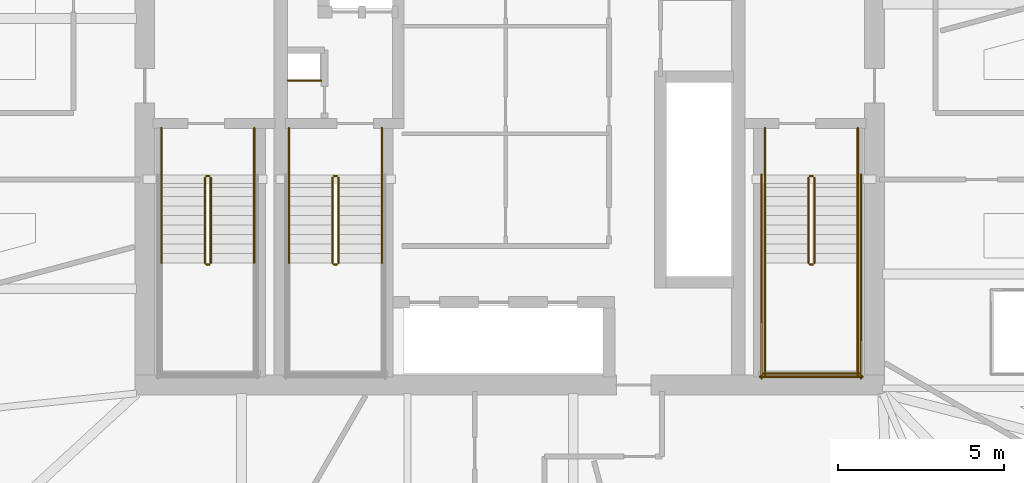
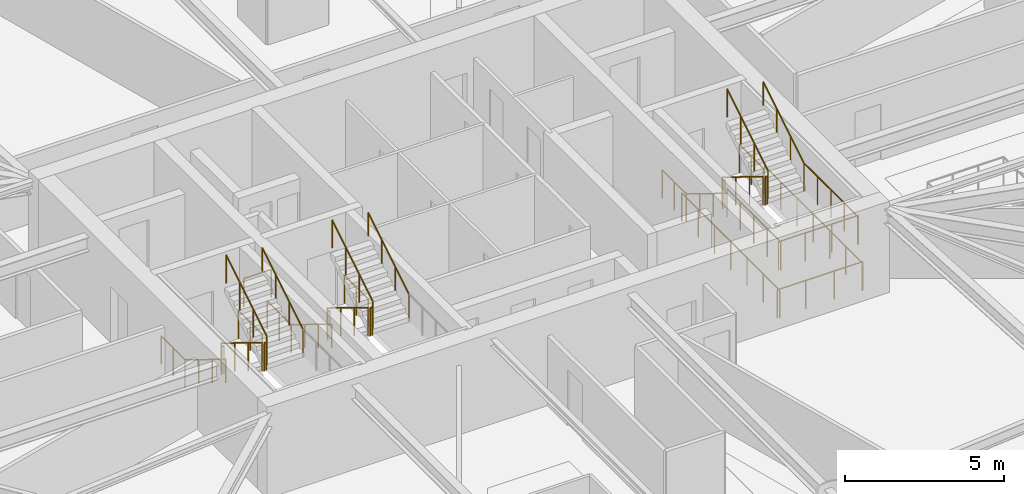
# One storey, part 19 of 20: 31 railings.
"""IFC4 building model written with IfcOpenShell, lengths in metres."""

from ifc_helpers import new_model, si_unit, direction, frame, origin, origin_2d, place, context, subcontext, project, spatial, circle, extrude, material, type_object, element, save


model = new_model("IFC4")

# Units and contexts
model_context = context("Model", 3, precision=1e-05, world=origin(), true_north=direction((0.0, 1.0)))
body_context = subcontext(model_context, "Body", "Model", "MODEL_VIEW")
ifc_project = project(units=[si_unit("LENGTHUNIT", "METRE"), si_unit("AREAUNIT", "SQUARE_METRE"), si_unit("VOLUMEUNIT", "CUBIC_METRE"), si_unit("PLANEANGLEUNIT", "RADIAN"), si_unit("MASSUNIT", "GRAM", prefix="KILO")], contexts=[model_context])

# Site, building, storey
site_placement = place(None, origin())
site = spatial("IfcSite", under=ifc_project, at=site_placement, CompositionType="ELEMENT")
building_placement = place(site_placement, origin())
building = spatial("IfcBuilding", under=site, at=building_placement, Name="Bramvorn Convention Spire", CompositionType="ELEMENT")
storey_placement = place(building_placement, frame((0.0, 0.0, 130.800048828125)))
storey = spatial("IfcBuildingStorey", under=building, at=storey_placement, Name="L32", CompositionType="ELEMENT", Elevation=130.800048828125)

# Railings
ifc_material_1 = material(Name="Painted Steel Balustrade & Guardrail", Category="steel")
railing_type_1 = type_object("IfcRailingType", Name="RL-STAIR-GUARD-1100", PredefinedType="GUARDRAIL", material=ifc_material_1)
railing_1_placement = place(storey_placement, frame((28.81005859375, 25.050048828125, 0.175048828125)))
element("IfcRailing", 1, at=railing_1_placement, inside=storey, type_object=railing_type_1, Name="L32 ST1 stair guard 1", PredefinedType="GUARDRAIL", context=body_context, shape_type="SweptSolid", body=[
    extrude(circle(Radius=0.02392578125, at=origin_2d()), frame((0.0, 0.0, 1.076171875), z_axis=(0.0, -0.852173129349, 0.523259933127), x_axis=(1.0, 0.0, 0.0)), (0.0, 0.0, 1.0), 3.009765625),
    extrude(circle(Radius=0.02099609375, at=origin_2d()), origin(), (0.0, 0.0, 1.0), 1.052001953125),
    extrude(circle(Radius=0.02099609375, at=origin_2d()), frame((0.0, -0.85498046875, 0.52490234375)), (0.0, 0.0, 1.0), 1.052001953125),
    extrude(circle(Radius=0.02099609375, at=origin_2d()), frame((0.0, -1.7099609375, 1.050048828125)), (0.0, 0.0, 1.0), 1.052001953125),
    extrude(circle(Radius=0.02099609375, at=origin_2d()), frame((0.0, -2.56494140625, 1.574951171875)), (0.0, 0.0, 1.0), 1.052001953125),
])
railing_2_placement = place(storey_placement, frame((28.860107421875, 22.43505859375, 1.75)))
element("IfcRailing", 2, at=railing_2_placement, inside=storey, type_object=railing_type_1, Name="L32 ST1 stair guard 2", PredefinedType="GUARDRAIL", context=body_context, shape_type="SweptSolid", body=[
    extrude(circle(Radius=0.02392578125, at=origin_2d()), frame((0.0, 0.0, 1.076171875), z_axis=(1.0, 0.0, 0.0), x_axis=(0.0, 1.0, 0.0)), (0.0, 0.0, 1.0), 0.079833984375),
    extrude(circle(Radius=0.02099609375, at=origin_2d()), origin(), (0.0, 0.0, 1.0), 1.052001953125),
    extrude(circle(Radius=0.02099609375, at=origin_2d()), frame((0.079833984375, 0.0, 0.0)), (0.0, 0.0, 1.0), 1.052001953125),
])
railing_3_placement = place(storey_placement, frame((28.989990234375, 22.485107421875, 1.925048828125)))
element("IfcRailing", 3, at=railing_3_placement, inside=storey, type_object=railing_type_1, Name="L32 ST1 stair guard 6", PredefinedType="GUARDRAIL", context=body_context, shape_type="SweptSolid", body=[
    extrude(circle(Radius=0.02392578125, at=origin_2d()), frame((0.0, 0.0, 1.076171875), z_axis=(0.0, 0.852173129349, 0.523259933127), x_axis=(-1.0, 0.0, 0.0)), (0.0, 0.0, 1.0), 3.009765625),
    extrude(circle(Radius=0.02099609375, at=origin_2d()), origin(), (0.0, 0.0, 1.0), 1.052001953125),
    extrude(circle(Radius=0.02099609375, at=origin_2d()), frame((0.0, 0.85498046875, 0.52490234375)), (0.0, 0.0, 1.0), 1.052001953125),
    extrude(circle(Radius=0.02099609375, at=origin_2d()), frame((0.0, 1.7099609375, 1.050048828125)), (0.0, 0.0, 1.0), 1.052001953125),
    extrude(circle(Radius=0.02099609375, at=origin_2d()), frame((0.0, 2.56494140625, 1.574951171875)), (0.0, 0.0, 1.0), 1.052001953125),
])
railing_4_placement = place(storey_placement, frame((28.860107421875, 25.10009765625, 0.0)))
element("IfcRailing", 4, at=railing_4_placement, inside=storey, type_object=railing_type_1, Name="L32 ST1 stair guard 7", PredefinedType="GUARDRAIL", context=body_context, shape_type="SweptSolid", body=[
    extrude(circle(Radius=0.02392578125, at=origin_2d()), frame((0.0, 0.0, 1.076171875), z_axis=(1.0, 0.0, 0.0), x_axis=(0.0, 1.0, 0.0)), (0.0, 0.0, 1.0), 0.079833984375),
    extrude(circle(Radius=0.02099609375, at=origin_2d()), origin(), (0.0, 0.0, 1.0), 1.052001953125),
    extrude(circle(Radius=0.02099609375, at=origin_2d()), frame((0.079833984375, 0.0, 0.0)), (0.0, 0.0, 1.0), 1.052001953125),
])
for number, where, name in (
    (5, (27.5, 26.550048828125, 0.0), "L32 ST1 stair guard 8"),
    (6, (30.300048828125, 26.550048828125, 0.0), "L32 ST1 stair guard 9"),
):
    element("IfcRailing", number, at=place(storey_placement, frame(where)), inside=storey, type_object=railing_type_1, Name=name, PredefinedType="GUARDRAIL", context=body_context, shape_type="SweptSolid", body=[
        extrude(circle(Radius=0.02392578125, at=origin_2d()), frame((0.0, 0.0, 1.076171875), z_axis=(0.0, -1.0, 0.0), x_axis=(1.0, 0.0, 0.0)), (0.0, 0.0, 1.0), 1.5),
        extrude(circle(Radius=0.02099609375, at=origin_2d()), origin(), (0.0, 0.0, 1.0), 1.052001953125),
        extrude(circle(Radius=0.02099609375, at=origin_2d()), frame((0.0, -0.75, 0.0)), (0.0, 0.0, 1.0), 1.052001953125),
        extrude(circle(Radius=0.02099609375, at=origin_2d()), frame((0.0, -1.5, 0.0)), (0.0, 0.0, 1.0), 1.052001953125),
    ])
railing_5_placement = place(storey_placement, frame((47.010009765625, 25.050048828125, 0.175048828125)))
element("IfcRailing", 7, at=railing_5_placement, inside=storey, type_object=railing_type_1, Name="L32 ST2 stair guard 1", PredefinedType="GUARDRAIL", context=body_context, shape_type="SweptSolid", body=[
    extrude(circle(Radius=0.02392578125, at=origin_2d()), frame((0.0, 0.0, 1.076171875), z_axis=(0.0, -0.852173129349, 0.523259933127), x_axis=(1.0, 0.0, 0.0)), (0.0, 0.0, 1.0), 3.009765625),
    extrude(circle(Radius=0.02099609375, at=origin_2d()), origin(), (0.0, 0.0, 1.0), 1.052001953125),
    extrude(circle(Radius=0.02099609375, at=origin_2d()), frame((0.0, -0.85498046875, 0.52490234375)), (0.0, 0.0, 1.0), 1.052001953125),
    extrude(circle(Radius=0.02099609375, at=origin_2d()), frame((0.0, -1.7099609375, 1.050048828125)), (0.0, 0.0, 1.0), 1.052001953125),
    extrude(circle(Radius=0.02099609375, at=origin_2d()), frame((0.0, -2.56494140625, 1.574951171875)), (0.0, 0.0, 1.0), 1.052001953125),
])
railing_6_placement = place(storey_placement, frame((47.06005859375, 22.43505859375, 1.75)))
element("IfcRailing", 8, at=railing_6_placement, inside=storey, type_object=railing_type_1, Name="L32 ST2 stair guard 2", PredefinedType="GUARDRAIL", context=body_context, shape_type="SweptSolid", body=[
    extrude(circle(Radius=0.02392578125, at=origin_2d()), frame((0.0, 0.0, 1.076171875), z_axis=(1.0, 0.0, 0.0), x_axis=(0.0, 1.0, 0.0)), (0.0, 0.0, 1.0), 0.079833984375),
    extrude(circle(Radius=0.02099609375, at=origin_2d()), origin(), (0.0, 0.0, 1.0), 1.052001953125),
    extrude(circle(Radius=0.02099609375, at=origin_2d()), frame((0.079833984375, 0.0, 0.0)), (0.0, 0.0, 1.0), 1.052001953125),
])
for number, where, name in (
    (9, (45.699951171875, 22.485107421875, 1.75), "L32 ST2 stair guard 3"),
    (10, (48.5, 22.485107421875, 1.75), "L32 ST2 stair guard 4"),
):
    element("IfcRailing", number, at=place(storey_placement, frame(where)), inside=storey, type_object=railing_type_1, Name=name, PredefinedType="GUARDRAIL", context=body_context, shape_type="SweptSolid", body=[
        extrude(circle(Radius=0.02392578125, at=origin_2d()), frame((0.0, 0.0, 1.076171875), z_axis=(0.0, -1.0, 0.0), x_axis=(1.0, 0.0, 0.0)), (0.0, 0.0, 1.0), 3.385009765625),
        extrude(circle(Radius=0.02099609375, at=origin_2d()), origin(), (0.0, 0.0, 1.0), 1.052001953125),
        extrude(circle(Radius=0.02099609375, at=origin_2d()), frame((0.0, -0.84619140625, 0.0)), (0.0, 0.0, 1.0), 1.052001953125),
        extrude(circle(Radius=0.02099609375, at=origin_2d()), frame((0.0, -1.6923828125, 0.0)), (0.0, 0.0, 1.0), 1.052001953125),
        extrude(circle(Radius=0.02099609375, at=origin_2d()), frame((0.0, -2.538818359375, 0.0)), (0.0, 0.0, 1.0), 1.052001953125),
        extrude(circle(Radius=0.02099609375, at=origin_2d()), frame((0.0, -3.385009765625, 0.0)), (0.0, 0.0, 1.0), 1.052001953125),
    ])
railing_7_placement = place(storey_placement, frame((45.64990234375, 19.14990234375, 1.75)))
element("IfcRailing", 11, at=railing_7_placement, inside=storey, type_object=railing_type_1, Name="L32 ST2 stair guard 5", PredefinedType="GUARDRAIL", context=body_context, shape_type="SweptSolid", body=[
    extrude(circle(Radius=0.02392578125, at=origin_2d()), frame((0.0, 0.0, 1.076171875), z_axis=(1.0, 0.0, 0.0), x_axis=(0.0, 1.0, 0.0)), (0.0, 0.0, 1.0), 2.900146484375),
    extrude(circle(Radius=0.02099609375, at=origin_2d()), origin(), (0.0, 0.0, 1.0), 1.052001953125),
    extrude(circle(Radius=0.02099609375, at=origin_2d()), frame((0.966796875, 0.0, 0.0)), (0.0, 0.0, 1.0), 1.052001953125),
    extrude(circle(Radius=0.02099609375, at=origin_2d()), frame((1.933349609375, 0.0, 0.0)), (0.0, 0.0, 1.0), 1.052001953125),
    extrude(circle(Radius=0.02099609375, at=origin_2d()), frame((2.900146484375, 0.0, 0.0)), (0.0, 0.0, 1.0), 1.052001953125),
])
railing_8_placement = place(storey_placement, frame((47.18994140625, 22.485107421875, 1.925048828125)))
element("IfcRailing", 12, at=railing_8_placement, inside=storey, type_object=railing_type_1, Name="L32 ST2 stair guard 6", PredefinedType="GUARDRAIL", context=body_context, shape_type="SweptSolid", body=[
    extrude(circle(Radius=0.02392578125, at=origin_2d()), frame((0.0, 0.0, 1.076171875), z_axis=(0.0, 0.852173129349, 0.523259933127), x_axis=(-1.0, 0.0, 0.0)), (0.0, 0.0, 1.0), 3.009765625),
    extrude(circle(Radius=0.02099609375, at=origin_2d()), origin(), (0.0, 0.0, 1.0), 1.052001953125),
    extrude(circle(Radius=0.02099609375, at=origin_2d()), frame((0.0, 0.85498046875, 0.52490234375)), (0.0, 0.0, 1.0), 1.052001953125),
    extrude(circle(Radius=0.02099609375, at=origin_2d()), frame((0.0, 1.7099609375, 1.050048828125)), (0.0, 0.0, 1.0), 1.052001953125),
    extrude(circle(Radius=0.02099609375, at=origin_2d()), frame((0.0, 2.56494140625, 1.574951171875)), (0.0, 0.0, 1.0), 1.052001953125),
])
railing_9_placement = place(storey_placement, frame((47.06005859375, 25.10009765625, 0.0)))
element("IfcRailing", 13, at=railing_9_placement, inside=storey, type_object=railing_type_1, Name="L32 ST2 stair guard 7", PredefinedType="GUARDRAIL", context=body_context, shape_type="SweptSolid", body=[
    extrude(circle(Radius=0.02392578125, at=origin_2d()), frame((0.0, 0.0, 1.076171875), z_axis=(1.0, 0.0, 0.0), x_axis=(0.0, 1.0, 0.0)), (0.0, 0.0, 1.0), 0.079833984375),
    extrude(circle(Radius=0.02099609375, at=origin_2d()), origin(), (0.0, 0.0, 1.0), 1.052001953125),
    extrude(circle(Radius=0.02099609375, at=origin_2d()), frame((0.079833984375, 0.0, 0.0)), (0.0, 0.0, 1.0), 1.052001953125),
])
for number, where, name in (
    (14, (45.699951171875, 26.550048828125, 0.0), "L32 ST2 stair guard 8"),
    (15, (48.5, 26.550048828125, 0.0), "L32 ST2 stair guard 9"),
):
    element("IfcRailing", number, at=place(storey_placement, frame(where)), inside=storey, type_object=railing_type_1, Name=name, PredefinedType="GUARDRAIL", context=body_context, shape_type="SweptSolid", body=[
        extrude(circle(Radius=0.02392578125, at=origin_2d()), frame((0.0, 0.0, 1.076171875), z_axis=(0.0, -1.0, 0.0), x_axis=(1.0, 0.0, 0.0)), (0.0, 0.0, 1.0), 1.5),
        extrude(circle(Radius=0.02099609375, at=origin_2d()), origin(), (0.0, 0.0, 1.0), 1.052001953125),
        extrude(circle(Radius=0.02099609375, at=origin_2d()), frame((0.0, -0.75, 0.0)), (0.0, 0.0, 1.0), 1.052001953125),
        extrude(circle(Radius=0.02099609375, at=origin_2d()), frame((0.0, -1.5, 0.0)), (0.0, 0.0, 1.0), 1.052001953125),
    ])
for number, where, name in (
    (16, (45.60009765625, 25.14990234375, 0.0), "L32 ST2 stair guard 10"),
    (17, (48.60009765625, 25.14990234375, 0.0), "L32 ST2 stair guard 11"),
):
    element("IfcRailing", number, at=place(storey_placement, frame(where)), inside=storey, type_object=railing_type_1, Name=name, PredefinedType="GUARDRAIL", context=body_context, shape_type="SweptSolid", body=[
        extrude(circle(Radius=0.02392578125, at=origin_2d()), frame((0.0, 0.0, 1.076171875), z_axis=(0.0, -1.0, 0.0), x_axis=(1.0, 0.0, 0.0)), (0.0, 0.0, 1.0), 6.14990234375),
        extrude(circle(Radius=0.02099609375, at=origin_2d()), origin(), (0.0, 0.0, 1.0), 1.052001953125),
        extrude(circle(Radius=0.02099609375, at=origin_2d()), frame((0.0, -1.02490234375, 0.0)), (0.0, 0.0, 1.0), 1.052001953125),
        extrude(circle(Radius=0.02099609375, at=origin_2d()), frame((0.0, -2.050048828125, 0.0)), (0.0, 0.0, 1.0), 1.052001953125),
        extrude(circle(Radius=0.02099609375, at=origin_2d()), frame((0.0, -3.074951171875, 0.0)), (0.0, 0.0, 1.0), 1.052001953125),
        extrude(circle(Radius=0.02099609375, at=origin_2d()), frame((0.0, -4.099853515625, 0.0)), (0.0, 0.0, 1.0), 1.052001953125),
        extrude(circle(Radius=0.02099609375, at=origin_2d()), frame((0.0, -5.125, 0.0)), (0.0, 0.0, 1.0), 1.052001953125),
        extrude(circle(Radius=0.02099609375, at=origin_2d()), frame((0.0, -6.14990234375, 0.0)), (0.0, 0.0, 1.0), 1.052001953125),
    ])
railing_10_placement = place(storey_placement, frame((45.550048828125, 19.050048828125, 0.0)))
element("IfcRailing", 18, at=railing_10_placement, inside=storey, type_object=railing_type_1, Name="L32 ST2 stair guard 12", PredefinedType="GUARDRAIL", context=body_context, shape_type="SweptSolid", body=[
    extrude(circle(Radius=0.02392578125, at=origin_2d()), frame((0.0, 0.0, 1.076171875), z_axis=(1.0, 0.0, 0.0), x_axis=(0.0, 1.0, 0.0)), (0.0, 0.0, 1.0), 3.099853515625),
    extrude(circle(Radius=0.02099609375, at=origin_2d()), origin(), (0.0, 0.0, 1.0), 1.052001953125),
    extrude(circle(Radius=0.02099609375, at=origin_2d()), frame((1.033203125, 0.0, 0.0)), (0.0, 0.0, 1.0), 1.052001953125),
    extrude(circle(Radius=0.02099609375, at=origin_2d()), frame((2.066650390625, 0.0, 0.0)), (0.0, 0.0, 1.0), 1.052001953125),
    extrude(circle(Radius=0.02099609375, at=origin_2d()), frame((3.099853515625, 0.0, 0.0)), (0.0, 0.0, 1.0), 1.052001953125),
])
railing_11_placement = place(storey_placement, frame((32.659912109375, 25.050048828125, 0.175048828125)))
element("IfcRailing", 19, at=railing_11_placement, inside=storey, type_object=railing_type_1, Name="L32 ST3 stair guard 1", PredefinedType="GUARDRAIL", context=body_context, shape_type="SweptSolid", body=[
    extrude(circle(Radius=0.02392578125, at=origin_2d()), frame((0.0, 0.0, 1.076171875), z_axis=(0.0, -0.852173129349, 0.523259933127), x_axis=(1.0, 0.0, 0.0)), (0.0, 0.0, 1.0), 3.009765625),
    extrude(circle(Radius=0.02099609375, at=origin_2d()), origin(), (0.0, 0.0, 1.0), 1.052001953125),
    extrude(circle(Radius=0.02099609375, at=origin_2d()), frame((0.0, -0.85498046875, 0.52490234375)), (0.0, 0.0, 1.0), 1.052001953125),
    extrude(circle(Radius=0.02099609375, at=origin_2d()), frame((0.0, -1.7099609375, 1.050048828125)), (0.0, 0.0, 1.0), 1.052001953125),
    extrude(circle(Radius=0.02099609375, at=origin_2d()), frame((0.0, -2.56494140625, 1.574951171875)), (0.0, 0.0, 1.0), 1.052001953125),
])
railing_12_placement = place(storey_placement, frame((32.7099609375, 22.43505859375, 1.75)))
element("IfcRailing", 20, at=railing_12_placement, inside=storey, type_object=railing_type_1, Name="L32 ST3 stair guard 2", PredefinedType="GUARDRAIL", context=body_context, shape_type="SweptSolid", body=[
    extrude(circle(Radius=0.02392578125, at=origin_2d()), frame((0.0, 0.0, 1.076171875), z_axis=(1.0, 0.0, 0.0), x_axis=(0.0, 1.0, 0.0)), (0.0, 0.0, 1.0), 0.080078125),
    extrude(circle(Radius=0.02099609375, at=origin_2d()), origin(), (0.0, 0.0, 1.0), 1.052001953125),
    extrude(circle(Radius=0.02099609375, at=origin_2d()), frame((0.080078125, 0.0, 0.0)), (0.0, 0.0, 1.0), 1.052001953125),
])
railing_13_placement = place(storey_placement, frame((32.840087890625, 22.485107421875, 1.925048828125)))
element("IfcRailing", 21, at=railing_13_placement, inside=storey, type_object=railing_type_1, Name="L32 ST3 stair guard 6", PredefinedType="GUARDRAIL", context=body_context, shape_type="SweptSolid", body=[
    extrude(circle(Radius=0.02392578125, at=origin_2d()), frame((0.0, 0.0, 1.076171875), z_axis=(0.0, 0.852173129349, 0.523259933127), x_axis=(-1.0, 0.0, 0.0)), (0.0, 0.0, 1.0), 3.009765625),
    extrude(circle(Radius=0.02099609375, at=origin_2d()), origin(), (0.0, 0.0, 1.0), 1.052001953125),
    extrude(circle(Radius=0.02099609375, at=origin_2d()), frame((0.0, 0.85498046875, 0.52490234375)), (0.0, 0.0, 1.0), 1.052001953125),
    extrude(circle(Radius=0.02099609375, at=origin_2d()), frame((0.0, 1.7099609375, 1.050048828125)), (0.0, 0.0, 1.0), 1.052001953125),
    extrude(circle(Radius=0.02099609375, at=origin_2d()), frame((0.0, 2.56494140625, 1.574951171875)), (0.0, 0.0, 1.0), 1.052001953125),
])
railing_14_placement = place(storey_placement, frame((32.7099609375, 25.10009765625, 0.0)))
element("IfcRailing", 22, at=railing_14_placement, inside=storey, type_object=railing_type_1, Name="L32 ST3 stair guard 7", PredefinedType="GUARDRAIL", context=body_context, shape_type="SweptSolid", body=[
    extrude(circle(Radius=0.02392578125, at=origin_2d()), frame((0.0, 0.0, 1.076171875), z_axis=(1.0, 0.0, 0.0), x_axis=(0.0, 1.0, 0.0)), (0.0, 0.0, 1.0), 0.080078125),
    extrude(circle(Radius=0.02099609375, at=origin_2d()), origin(), (0.0, 0.0, 1.0), 1.052001953125),
    extrude(circle(Radius=0.02099609375, at=origin_2d()), frame((0.080078125, 0.0, 0.0)), (0.0, 0.0, 1.0), 1.052001953125),
])
for number, where, name in (
    (23, (31.35009765625, 26.550048828125, 0.0), "L32 ST3 stair guard 8"),
    (24, (34.14990234375, 26.550048828125, 0.0), "L32 ST3 stair guard 9"),
):
    element("IfcRailing", number, at=place(storey_placement, frame(where)), inside=storey, type_object=railing_type_1, Name=name, PredefinedType="GUARDRAIL", context=body_context, shape_type="SweptSolid", body=[
        extrude(circle(Radius=0.02392578125, at=origin_2d()), frame((0.0, 0.0, 1.076171875), z_axis=(0.0, -1.0, 0.0), x_axis=(1.0, 0.0, 0.0)), (0.0, 0.0, 1.0), 1.5),
        extrude(circle(Radius=0.02099609375, at=origin_2d()), origin(), (0.0, 0.0, 1.0), 1.052001953125),
        extrude(circle(Radius=0.02099609375, at=origin_2d()), frame((0.0, -0.75, 0.0)), (0.0, 0.0, 1.0), 1.052001953125),
        extrude(circle(Radius=0.02099609375, at=origin_2d()), frame((0.0, -1.5, 0.0)), (0.0, 0.0, 1.0), 1.052001953125),
    ])
railing_15_placement = place(storey_placement, frame((31.320068359375, 27.97998046875, 0.0)))
element("IfcRailing", 25, at=railing_15_placement, inside=storey, type_object=railing_type_1, Name="L32 Telecom riser shaft opening safety guardrail", PredefinedType="GUARDRAIL", context=body_context, shape_type="SweptSolid", body=[
    extrude(circle(Radius=0.02392578125, at=origin_2d()), frame((0.0, 0.0, 1.076171875), z_axis=(1.0, 0.0, 0.0), x_axis=(0.0, 1.0, 0.0)), (0.0, 0.0, 1.0), 1.0),
    extrude(circle(Radius=0.02099609375, at=origin_2d()), origin(), (0.0, 0.0, 1.0), 1.052001953125),
    extrude(circle(Radius=0.02099609375, at=origin_2d()), frame((1.0, 0.0, 0.0)), (0.0, 0.0, 1.0), 1.052001953125),
])
ifc_material_2 = material(Name="Brushed Bronze Tubular Handrail", Category="aluminium")
railing_type_2 = type_object("IfcRailingType", Name="RL-STAIR-HR-920", PredefinedType="HANDRAIL", material=ifc_material_2)
railing_16_placement = place(storey_placement, frame((27.5, 25.050048828125, 0.175048828125)))
element("IfcRailing", 26, at=railing_16_placement, inside=storey, type_object=railing_type_2, Name="L32 ST1 stair handrail 1", PredefinedType="HANDRAIL", context=body_context, shape_type="SweptSolid", body=[
    extrude(circle(Radius=0.02392578125, at=origin_2d()), frame((0.0, 0.0, 0.89599609375), z_axis=(0.0, -0.852173129349, 0.523259933127), x_axis=(1.0, 0.0, 0.0)), (0.0, 0.0, 1.0), 3.009765625),
    extrude(circle(Radius=0.02099609375, at=origin_2d()), origin(), (0.0, 0.0, 1.0), 0.871826171875),
    extrude(circle(Radius=0.02099609375, at=origin_2d()), frame((0.0, -0.85498046875, 0.52490234375)), (0.0, 0.0, 1.0), 0.871826171875),
    extrude(circle(Radius=0.02099609375, at=origin_2d()), frame((0.0, -1.7099609375, 1.050048828125)), (0.0, 0.0, 1.0), 0.871826171875),
    extrude(circle(Radius=0.02099609375, at=origin_2d()), frame((0.0, -2.56494140625, 1.574951171875)), (0.0, 0.0, 1.0), 0.871826171875),
])
railing_17_placement = place(storey_placement, frame((30.300048828125, 22.485107421875, 1.925048828125)))
element("IfcRailing", 27, at=railing_17_placement, inside=storey, type_object=railing_type_2, Name="L32 ST1 stair handrail 2", PredefinedType="HANDRAIL", context=body_context, shape_type="SweptSolid", body=[
    extrude(circle(Radius=0.02392578125, at=origin_2d()), frame((0.0, 0.0, 0.89599609375), z_axis=(0.0, 0.852173129349, 0.523259933127), x_axis=(-1.0, 0.0, 0.0)), (0.0, 0.0, 1.0), 3.009765625),
    extrude(circle(Radius=0.02099609375, at=origin_2d()), origin(), (0.0, 0.0, 1.0), 0.871826171875),
    extrude(circle(Radius=0.02099609375, at=origin_2d()), frame((0.0, 0.85498046875, 0.52490234375)), (0.0, 0.0, 1.0), 0.871826171875),
    extrude(circle(Radius=0.02099609375, at=origin_2d()), frame((0.0, 1.7099609375, 1.050048828125)), (0.0, 0.0, 1.0), 0.871826171875),
    extrude(circle(Radius=0.02099609375, at=origin_2d()), frame((0.0, 2.56494140625, 1.574951171875)), (0.0, 0.0, 1.0), 0.871826171875),
])
railing_18_placement = place(storey_placement, frame((45.699951171875, 25.050048828125, 0.175048828125)))
element("IfcRailing", 28, at=railing_18_placement, inside=storey, type_object=railing_type_2, Name="L32 ST2 stair handrail 1", PredefinedType="HANDRAIL", context=body_context, shape_type="SweptSolid", body=[
    extrude(circle(Radius=0.02392578125, at=origin_2d()), frame((0.0, 0.0, 0.89599609375), z_axis=(0.0, -0.852173129349, 0.523259933127), x_axis=(1.0, 0.0, 0.0)), (0.0, 0.0, 1.0), 3.009765625),
    extrude(circle(Radius=0.02099609375, at=origin_2d()), origin(), (0.0, 0.0, 1.0), 0.871826171875),
    extrude(circle(Radius=0.02099609375, at=origin_2d()), frame((0.0, -0.85498046875, 0.52490234375)), (0.0, 0.0, 1.0), 0.871826171875),
    extrude(circle(Radius=0.02099609375, at=origin_2d()), frame((0.0, -1.7099609375, 1.050048828125)), (0.0, 0.0, 1.0), 0.871826171875),
    extrude(circle(Radius=0.02099609375, at=origin_2d()), frame((0.0, -2.56494140625, 1.574951171875)), (0.0, 0.0, 1.0), 0.871826171875),
])
railing_19_placement = place(storey_placement, frame((48.5, 22.485107421875, 1.925048828125)))
element("IfcRailing", 29, at=railing_19_placement, inside=storey, type_object=railing_type_2, Name="L32 ST2 stair handrail 2", PredefinedType="HANDRAIL", context=body_context, shape_type="SweptSolid", body=[
    extrude(circle(Radius=0.02392578125, at=origin_2d()), frame((0.0, 0.0, 0.89599609375), z_axis=(0.0, 0.852173129349, 0.523259933127), x_axis=(-1.0, 0.0, 0.0)), (0.0, 0.0, 1.0), 3.009765625),
    extrude(circle(Radius=0.02099609375, at=origin_2d()), origin(), (0.0, 0.0, 1.0), 0.871826171875),
    extrude(circle(Radius=0.02099609375, at=origin_2d()), frame((0.0, 0.85498046875, 0.52490234375)), (0.0, 0.0, 1.0), 0.871826171875),
    extrude(circle(Radius=0.02099609375, at=origin_2d()), frame((0.0, 1.7099609375, 1.050048828125)), (0.0, 0.0, 1.0), 0.871826171875),
    extrude(circle(Radius=0.02099609375, at=origin_2d()), frame((0.0, 2.56494140625, 1.574951171875)), (0.0, 0.0, 1.0), 0.871826171875),
])
railing_20_placement = place(storey_placement, frame((31.35009765625, 25.050048828125, 0.175048828125)))
element("IfcRailing", 30, at=railing_20_placement, inside=storey, type_object=railing_type_2, Name="L32 ST3 stair handrail 1", PredefinedType="HANDRAIL", context=body_context, shape_type="SweptSolid", body=[
    extrude(circle(Radius=0.02392578125, at=origin_2d()), frame((0.0, 0.0, 0.89599609375), z_axis=(0.0, -0.852173129349, 0.523259933127), x_axis=(1.0, 0.0, 0.0)), (0.0, 0.0, 1.0), 3.009765625),
    extrude(circle(Radius=0.02099609375, at=origin_2d()), origin(), (0.0, 0.0, 1.0), 0.871826171875),
    extrude(circle(Radius=0.02099609375, at=origin_2d()), frame((0.0, -0.85498046875, 0.52490234375)), (0.0, 0.0, 1.0), 0.871826171875),
    extrude(circle(Radius=0.02099609375, at=origin_2d()), frame((0.0, -1.7099609375, 1.050048828125)), (0.0, 0.0, 1.0), 0.871826171875),
    extrude(circle(Radius=0.02099609375, at=origin_2d()), frame((0.0, -2.56494140625, 1.574951171875)), (0.0, 0.0, 1.0), 0.871826171875),
])
railing_21_placement = place(storey_placement, frame((34.14990234375, 22.485107421875, 1.925048828125)))
element("IfcRailing", 31, at=railing_21_placement, inside=storey, type_object=railing_type_2, Name="L32 ST3 stair handrail 2", PredefinedType="HANDRAIL", context=body_context, shape_type="SweptSolid", body=[
    extrude(circle(Radius=0.02392578125, at=origin_2d()), frame((0.0, 0.0, 0.89599609375), z_axis=(0.0, 0.852173129349, 0.523259933127), x_axis=(-1.0, 0.0, 0.0)), (0.0, 0.0, 1.0), 3.009765625),
    extrude(circle(Radius=0.02099609375, at=origin_2d()), origin(), (0.0, 0.0, 1.0), 0.871826171875),
    extrude(circle(Radius=0.02099609375, at=origin_2d()), frame((0.0, 0.85498046875, 0.52490234375)), (0.0, 0.0, 1.0), 0.871826171875),
    extrude(circle(Radius=0.02099609375, at=origin_2d()), frame((0.0, 1.7099609375, 1.050048828125)), (0.0, 0.0, 1.0), 0.871826171875),
    extrude(circle(Radius=0.02099609375, at=origin_2d()), frame((0.0, 2.56494140625, 1.574951171875)), (0.0, 0.0, 1.0), 0.871826171875),
])

save(model, "model.ifc")
